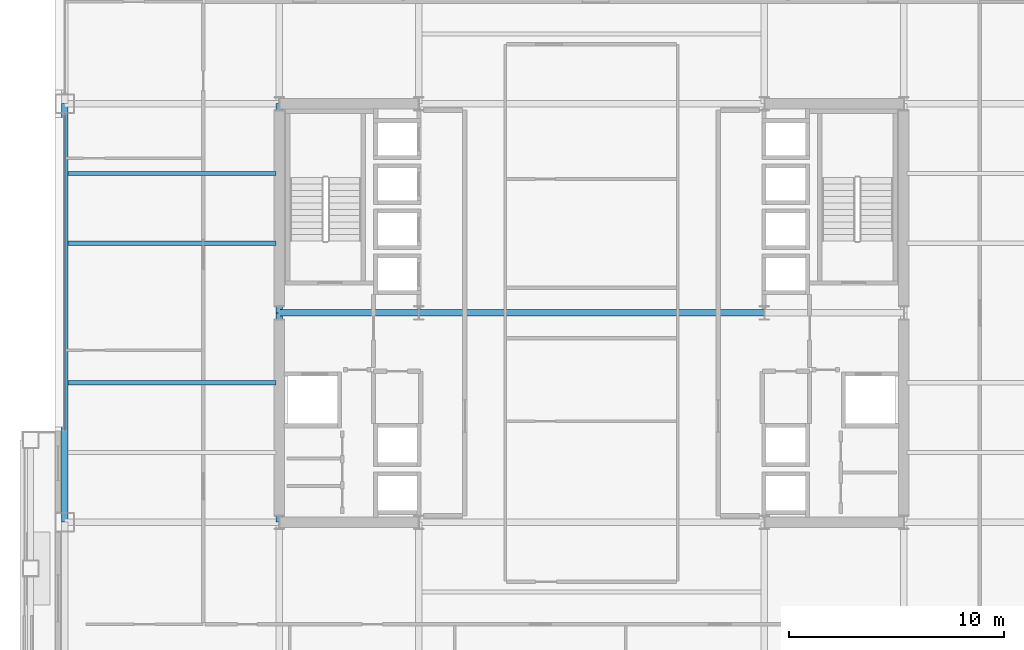
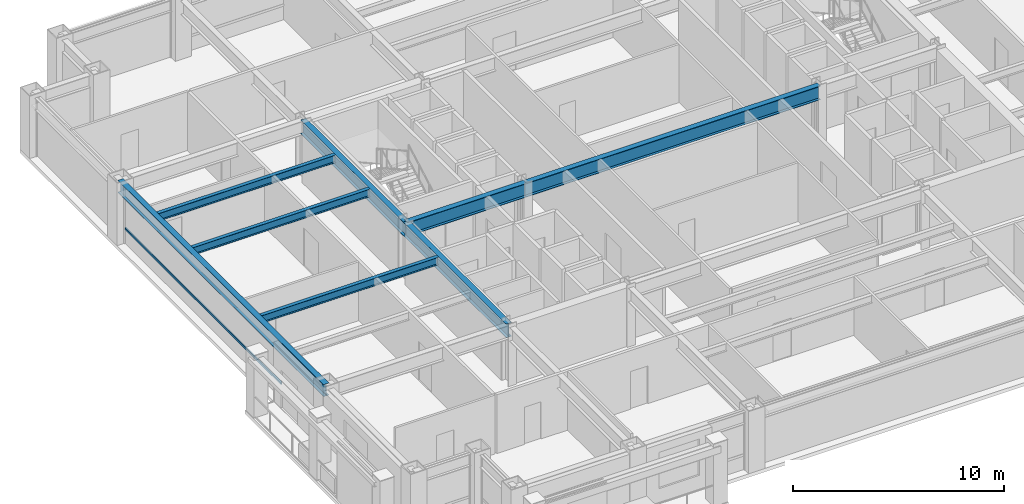
# One storey, part 8 of 30: 8 beams, 1 member, 1 element without a shape of its own.
"""IFC4 building model written with IfcOpenShell, lengths in metres."""

from ifc_helpers import new_model, si_unit, direction, frame, origin, origin_2d, place, context, subcontext, project, spatial, hollow_rectangle, i_section, extrude, material, layer, layer_set, material_profile, profile_set, type_object, element, aggregate, save


model = new_model("IFC4")

# Units and contexts
model_context = context("Model", 3, precision=1e-05, world=origin(), true_north=direction((0.0, 1.0)))
body_context = subcontext(model_context, "Body", "Model", "MODEL_VIEW")
ifc_project = project(units=[si_unit("LENGTHUNIT", "METRE"), si_unit("AREAUNIT", "SQUARE_METRE"), si_unit("VOLUMEUNIT", "CUBIC_METRE"), si_unit("PLANEANGLEUNIT", "RADIAN"), si_unit("MASSUNIT", "GRAM", prefix="KILO")], contexts=[model_context])

# Site, building, storey
site_placement = place(None, origin())
site = spatial("IfcSite", under=ifc_project, at=site_placement, CompositionType="ELEMENT")
building_placement = place(site_placement, origin())
building = spatial("IfcBuilding", under=site, at=building_placement, Name="Brelmoor Portico Tower", CompositionType="ELEMENT")
storey_placement = place(building_placement, frame((0.0, 0.0, 74.39990234375)))
storey = spatial("IfcBuildingStorey", under=building, at=storey_placement, Name="L19", CompositionType="ELEMENT", Elevation=74.39990234375)

# Beams
ifc_material_1 = material(Name="Steel Q355B", Category="steel")
ifc_material_profile_1 = material_profile(ifc_material_1, i_section(OverallWidth=0.199951171875, OverallDepth=0.449951171875, WebThickness=0.009033203125, FlangeThickness=0.013916015625, at=origin_2d()), Name="HN 450x200x9x14")
ifc_profile_set_1 = profile_set([ifc_material_profile_1], Name="Steel Q355B")
beam_type_1 = type_object("IfcBeamType", Name="BM-JS-450", PredefinedType="JOIST", material=ifc_profile_set_1)
for number, where, z_axis, x_axis, name in (
    (1, (-24.39990234375, -3.25, 3.175048828125), (1.0, 0.0, 0.0), (0.0, 1.0, 0.0), "L19 Secondary Wing Joist JS-W06"),
    (2, (-24.39990234375, 3.25, 3.175048828125), (1.0, 0.0, 0.0), (0.0, 1.0, 0.0), "L19 Secondary Wing Joist JS-W07"),
    (3, (-24.39990234375, 6.5, 3.175048828125), (1.0, 0.0, 0.0), (0.0, 1.0, 0.0), "L19 Secondary Wing Joist JS-W08"),
):
    element("IfcBeam", number, at=place(storey_placement, frame(where, z_axis=z_axis, x_axis=x_axis)), inside=storey, type_object=beam_type_1, Name=name, PredefinedType="JOIST", context=body_context, shape_type="SweptSolid", body=[
        extrude(i_section(OverallWidth=0.199951171875, OverallDepth=0.449951171875, WebThickness=0.009033203125, FlangeThickness=0.013916015625, at=origin_2d()), origin(), (0.0, 0.0, 1.0), 9.699951171875),
    ])
ifc_material_profile_2 = material_profile(ifc_material_1, i_section(OverallWidth=0.300048828125, OverallDepth=0.800048828125, WebThickness=0.013916015625, FlangeThickness=0.02587890625, at=origin_2d()), Name="HN 800x300x14x26")
ifc_profile_set_2 = profile_set([ifc_material_profile_2], Name="Steel Q355B")
beam_type_2 = type_object("IfcBeamType", Name="BM-PG-800", PredefinedType="BEAM", material=ifc_profile_set_2)
for number, where, z_axis, x_axis, name in (
    (4, (-14.550048828125, -9.75, 3.0), (0.0, 1.0, 0.0), (-1.0, 0.0, 0.0), "L19 Primary Floor Girder PG-04"),
    (5, (-14.550048828125, 0.0, 3.0), (0.0, 1.0, 0.0), (-1.0, 0.0, 0.0), "L19 Primary Floor Girder PG-05"),
):
    element("IfcBeam", number, at=place(storey_placement, frame(where, z_axis=z_axis, x_axis=x_axis)), inside=storey, type_object=beam_type_2, Name=name, PredefinedType="BEAM", context=body_context, shape_type="SweptSolid", body=[
        extrude(i_section(OverallWidth=0.300048828125, OverallDepth=0.800048828125, WebThickness=0.013916015625, FlangeThickness=0.02587890625, at=origin_2d()), origin(), (0.0, 0.0, 1.0), 9.75),
    ])
beam_1_placement = place(storey_placement, frame((-14.550048828125, 0.0, 3.0), z_axis=(1.0, 0.0, 0.0), x_axis=(0.0, 1.0, 0.0)))
element("IfcBeam", 6, at=beam_1_placement, inside=storey, type_object=beam_type_2, Name="L19 Primary Floor Girder PG-24", PredefinedType="BEAM", context=body_context, shape_type="SweptSolid", body=[
    extrude(i_section(OverallWidth=0.300048828125, OverallDepth=0.800048828125, WebThickness=0.013916015625, FlangeThickness=0.02587890625, at=origin_2d()), origin(), (0.0, 0.0, 1.0), 6.5),
])
beam_2_placement = place(storey_placement, frame((-8.050048828125, 0.0, 3.0), z_axis=(1.0, 0.0, 0.0), x_axis=(0.0, 1.0, 0.0)))
element("IfcBeam", 7, at=beam_2_placement, inside=storey, type_object=beam_type_2, Name="L19 Primary Floor Girder PG-25", PredefinedType="BEAM", context=body_context, shape_type="SweptSolid", body=[
    extrude(i_section(OverallWidth=0.300048828125, OverallDepth=0.800048828125, WebThickness=0.013916015625, FlangeThickness=0.02587890625, at=origin_2d()), origin(), (0.0, 0.0, 1.0), 16.10009765625),
])
ifc_material_profile_3 = material_profile(ifc_material_1, i_section(OverallWidth=0.300048828125, OverallDepth=0.699951171875, WebThickness=0.012939453125, FlangeThickness=0.02392578125, at=origin_2d()), Name="HN 700x300x13x24")
ifc_profile_set_3 = profile_set([ifc_material_profile_3], Name="Steel Q355B")
beam_type_3 = type_object("IfcBeamType", Name="BM-SP-700", PredefinedType="SPANDREL", material=ifc_profile_set_3)
beam_3_placement = place(storey_placement, frame((-24.550048828125, -9.75, 3.050048828125), z_axis=(0.0, 1.0, 0.0), x_axis=(-1.0, 0.0, 0.0)))
element("IfcBeam", 8, at=beam_3_placement, inside=storey, type_object=beam_type_3, Name="L19 Perimeter Spandrel Beam SP-16", PredefinedType="SPANDREL", context=body_context, shape_type="SweptSolid", body=[
    extrude(i_section(OverallWidth=0.300048828125, OverallDepth=0.699951171875, WebThickness=0.012939453125, FlangeThickness=0.02392578125, at=origin_2d()), origin(), (0.0, 0.0, 1.0), 19.5),
])

# Curtain wall, member
ifc_material_2 = material(Name="Anodised Aluminium Alloy 6063-T6", Category="aluminium")
ifc_layer = layer(ifc_material_2, 0.179931640625)
ifc_layer_set = layer_set([ifc_layer], Name="Anodised Aluminium Alloy 6063-T6")
curtain_wall_type = type_object("IfcCurtainWallType", Name="CW-TOWER-Z1", PredefinedType="NOTDEFINED", material=ifc_layer_set)
curtain_wall_placement = place(storey_placement, origin())
curtain_wall = element("IfcCurtainWall", 9, at=curtain_wall_placement, inside=storey, type_object=curtain_wall_type, Name="L19 Curtain Wall CW-L19-3R-1", PredefinedType="NOTDEFINED")
ifc_material_profile_4 = material_profile(ifc_material_2, hollow_rectangle(XDim=0.06494140625, YDim=0.139892578125, WallThickness=0.00390625, at=origin_2d()), Name="ALU TRANSOM 65x140")
ifc_profile_set_4 = profile_set([ifc_material_profile_4], Name="Anodised Aluminium Alloy 6063-T6")
member_type = type_object("IfcMemberType", Name="MB-CW-TRAN-140", PredefinedType="USERDEFINED", material=ifc_profile_set_4)
member_placement = place(storey_placement, frame((-24.550048828125, -5.5, 0.85009765625), z_axis=(0.0, 1.0, 0.0), x_axis=(-1.0, 0.0, 0.0)))
member = element("IfcMember", 10, at=member_placement, type_object=member_type, Name="CW-L19-3R-1 Transom 1-00", ObjectType="TRANSOM", PredefinedType="USERDEFINED", context=body_context, shape_type="SweptSolid", body=[
    extrude(hollow_rectangle(XDim=0.06494140625, YDim=0.139892578125, WallThickness=0.00390625, at=origin_2d()), origin(), (0.0, 0.0, 1.0), 14.7900390625),
])
aggregate(curtain_wall, [member])

save(model, "model.ifc")
